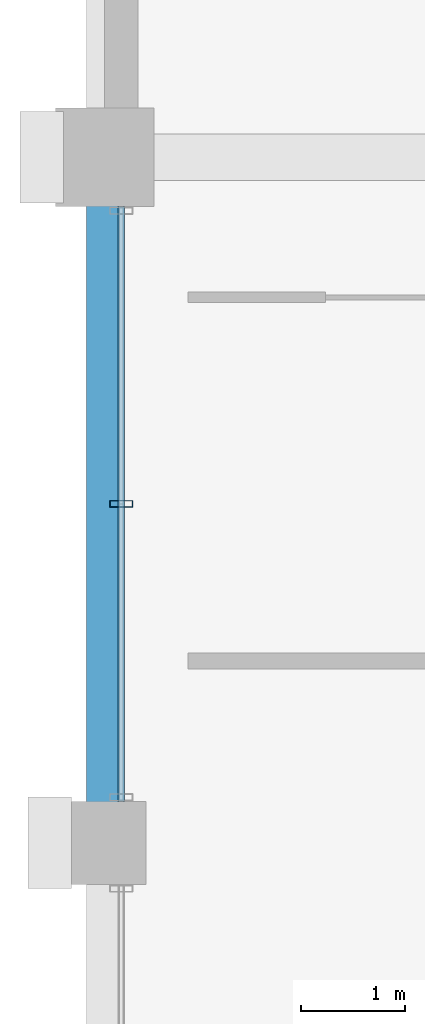
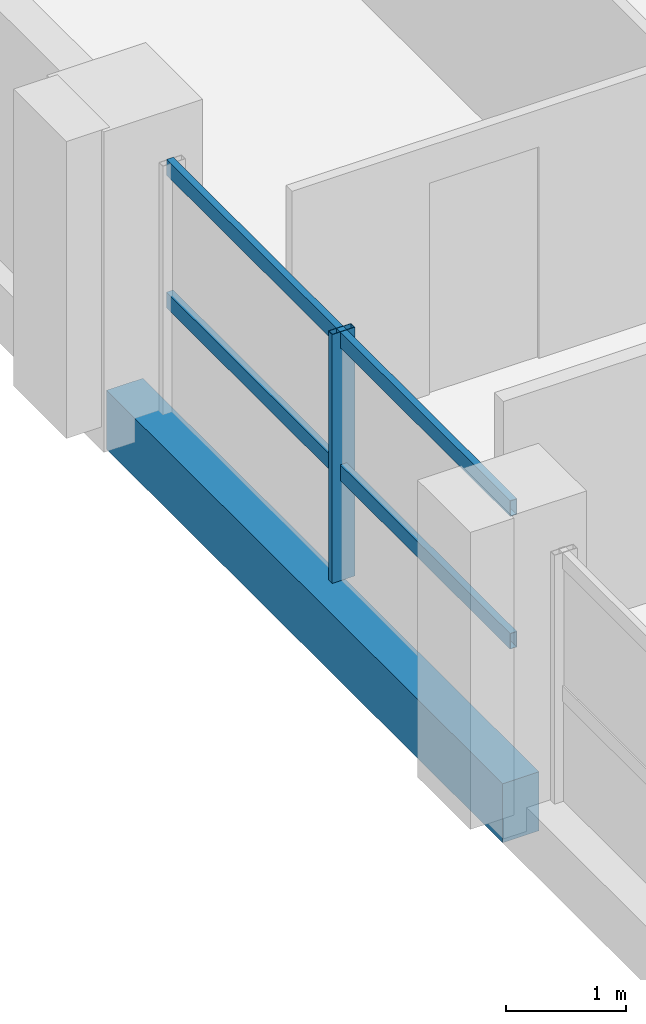
# One storey, part 6 of 23: 3 members, 1 beam, 1 element without a shape of its own.
"""IFC4 building model written with IfcOpenShell, lengths in metres."""

import ifcopenshell
import ifcopenshell.guid

model = None  # the IFC model being written
_history = None  # IfcOwnerHistory: only IFC2X3 demands one
_inside = {}  # id of a spatial element -> (the spatial element, [elements in it])
_under = {}  # id of a project, library or spatial element -> (it, [spatial elements below it])
_declared = {}  # id of a project -> (the project, [libraries it declares])
_typed = {}  # id of a type object -> (the type object, [elements of that type])
_made_of = {}  # id of a material, layer set ... -> (it, [elements and type objects made of it])


def new_model(schema):
    """Start an empty IFC model of exactly this schema.

    Asked for "IFC4X3", IfcOpenShell would pick the latest addendum, in which some entities
    have other attributes; the version numbers below select the first issue.
    IFC2X3 requires an IfcOwnerHistory on every rooted entity: one is made here for all.
    """
    global model, _history
    if schema == "IFC4X3":
        model = ifcopenshell.file(schema_version=(4, 3, 0, 0))
    else:
        model = ifcopenshell.file(schema=schema)
    _inside.clear()
    _under.clear()
    _declared.clear()
    _typed.clear()
    _made_of.clear()
    _history = None
    if model.schema == "IFC2X3":
        org = make("IfcOrganization", Name="unknown")
        user = make(
            "IfcPersonAndOrganization",
            ThePerson=make("IfcPerson", FamilyName="unknown"),
            TheOrganization=org,
        )
        app = make(
            "IfcApplication",
            ApplicationDeveloper=org,
            Version="unknown",
            ApplicationFullName="unknown",
            ApplicationIdentifier="unknown",
        )
        _history = make(
            "IfcOwnerHistory",
            OwningUser=user,
            OwningApplication=app,
            ChangeAction="ADDED",
            CreationDate=0,
        )
    return model


def make(cls, **values):
    """One entity of the class cls with the attributes given. An attribute that is None is left unset."""
    return model.create_entity(
        cls, **{name: value for name, value in values.items() if value is not None}
    )


def rooted(cls, **values):
    """An entity with a GlobalId (a new one), such as an element, a storey or a relation."""
    return make(cls, GlobalId=ifcopenshell.guid.new(), OwnerHistory=_history, **values)


def si_unit(unit_type, name, prefix=None):
    """IfcSIUnit, for example si_unit("LENGTHUNIT", "METRE", prefix="MILLI")."""
    return make("IfcSIUnit", UnitType=unit_type, Prefix=prefix, Name=name)


def assignment(units):
    """IfcUnitAssignment: the units of a project."""
    return None if units is None else make("IfcUnitAssignment", Units=units)


def point(xyz):
    """IfcCartesianPoint."""
    return None if xyz is None else make("IfcCartesianPoint", Coordinates=xyz)


def direction(xyz):
    """IfcDirection."""
    return None if xyz is None else make("IfcDirection", DirectionRatios=xyz)


def frame(location, z_axis=None, x_axis=None):
    """IfcAxis2Placement3D, a coordinate frame: its origin and axes. An axis left out is left unset."""
    return make(
        "IfcAxis2Placement3D",
        Location=point(location),
        Axis=direction(z_axis),
        RefDirection=direction(x_axis),
    )


def frame_2d(location, x_axis=None):
    """IfcAxis2Placement2D, a coordinate frame in the plane: its origin and x axis."""
    return make(
        "IfcAxis2Placement2D", Location=point(location), RefDirection=direction(x_axis)
    )


def origin():
    """The frame at (0, 0, 0) with its axes left unset."""
    return frame((0.0, 0.0, 0.0))


def origin_2d():
    """The frame at (0, 0) in the plane with its x axis left unset."""
    return frame_2d((0.0, 0.0))


def place(relative_to, where):
    """IfcLocalPlacement: puts the frame where relative to a parent placement (None: the world)."""
    return make(
        "IfcLocalPlacement", PlacementRelTo=relative_to, RelativePlacement=where
    )


def context(
    kind, dimensions, precision=None, world=None, true_north=None, identifier=None
):
    """IfcGeometricRepresentationContext, for example the 3D "Model" context."""
    return make(
        "IfcGeometricRepresentationContext",
        ContextIdentifier=identifier,
        ContextType=kind,
        CoordinateSpaceDimension=dimensions,
        Precision=precision,
        WorldCoordinateSystem=world,
        TrueNorth=true_north,
    )


def subcontext(parent, identifier, kind, view, scale=None):
    """IfcGeometricRepresentationSubContext, for example "Body" below "Model"."""
    return make(
        "IfcGeometricRepresentationSubContext",
        ContextIdentifier=identifier,
        ContextType=kind,
        ParentContext=parent,
        TargetScale=scale,
        TargetView=view,
    )


def project(units=None, contexts=None):
    """IfcProject with its units and contexts."""
    return rooted(
        "IfcProject",
        Name="project",
        RepresentationContexts=contexts,
        UnitsInContext=assignment(units),
    )


def spatial(cls, under=None, at=None, **own):
    """A site, building, storey or space (cls), placed at a placement, below another one or the project."""
    s = rooted(cls, ObjectPlacement=at, **own)
    if under is not None:
        _under.setdefault(under.id(), (under, []))[1].append(s)
    return s


def profile(cls, at=None, kind="AREA", **sizes):
    """A parametric profile (cls). Its sizes go by their IFC names, for example OverallWidth=200.0."""
    return make(cls, ProfileType=kind, Position=at, **sizes)


def rectangle(**sizes):
    """IfcRectangleProfileDef."""
    return profile("IfcRectangleProfileDef", **sizes)


def hollow_rectangle(**sizes):
    """IfcRectangleHollowProfileDef."""
    return profile("IfcRectangleHollowProfileDef", **sizes)


def extrude(swept, where, along, depth):
    """IfcExtrudedAreaSolid: the profile swept, set in the frame where, extruded along a direction by depth."""
    return make(
        "IfcExtrudedAreaSolid",
        SweptArea=swept,
        Position=where,
        ExtrudedDirection=direction(along),
        Depth=depth,
    )


def shape(context_of_items, identifier, shape_type, items):
    """IfcShapeRepresentation: the items that make up one representation, for example the "Body"."""
    return make(
        "IfcShapeRepresentation",
        ContextOfItems=context_of_items,
        RepresentationIdentifier=identifier,
        RepresentationType=shape_type,
        Items=items,
    )


def material(Name=None, Category=None):
    """IfcMaterial."""
    return make("IfcMaterial", Name=Name, Category=Category)


def material_profile(
    of_material, cross_section, Name=None, Category=None, Priority=None
):
    """IfcMaterialProfile: a cross section and its material."""
    return make(
        "IfcMaterialProfile",
        Name=Name,
        Material=of_material,
        Profile=cross_section,
        Priority=Priority,
        Category=Category,
    )


def profile_set(profiles, Name=None, composite=None):
    """IfcMaterialProfileSet."""
    return make(
        "IfcMaterialProfileSet",
        Name=Name,
        MaterialProfiles=profiles,
        CompositeProfile=composite,
    )


def made_of(thing, what):
    """Note that an element or type object is made of a material, layer set ...; save() writes the relation."""
    if what is not None:
        _made_of.setdefault(what.id(), (what, []))[1].append(thing)
    return thing


def type_object(cls, material=None, **own):
    """A type object (cls), such as IfcWallType, which elements share."""
    return made_of(rooted(cls, **own), material)


def element(
    cls,
    number,
    at=None,
    inside=None,
    cuts=None,
    type_object=None,
    material=None,
    context=None,
    identifier="Body",
    shape_type=None,
    held_by="IfcProductDefinitionShape",
    body=None,
    shapes=None,
    **own,
):
    """One element of the class cls, such as IfcWall. Its Tag is "e" and its number.

    at: its placement. inside: the storey or other place that contains it. cuts: it is an
    opening in that element (IfcRelVoidsElement). A single representation is given by context,
    identifier, shape_type and body (its items); several are given by shapes. held_by: the class
    of the entity that holds the representations. save() writes the other relations.
    """
    e = rooted(cls, Tag="e%d" % number, ObjectPlacement=at, **own)
    if body is not None:
        shapes = [shape(context, identifier, shape_type, body)]
    if shapes is not None:
        e.Representation = make(held_by, Representations=shapes)
    if inside is not None:
        _inside.setdefault(inside.id(), (inside, []))[1].append(e)
    if cuts is not None:
        rooted(
            "IfcRelVoidsElement", RelatingBuildingElement=cuts, RelatedOpeningElement=e
        )
    if type_object is not None:
        _typed.setdefault(type_object.id(), (type_object, []))[1].append(e)
    return made_of(e, material)


def aggregate(whole, parts):
    """IfcRelAggregates: a whole, such as a stair, and the parts it consists of."""
    return rooted("IfcRelAggregates", RelatingObject=whole, RelatedObjects=parts)


def save(model, path):
    """Write the relations noted so far, then the file.

    IfcRelAggregates (storeys below a building ...), IfcRelContainedInSpatialStructure (elements
    in a storey), IfcRelDefinesByType, IfcRelAssociatesMaterial and IfcRelDeclares: one each for
    every whole, place, type object, material and project.
    """
    for whole, parts in _under.values():
        aggregate(whole, parts)
    for where, things in _inside.values():
        rooted(
            "IfcRelContainedInSpatialStructure",
            RelatedElements=things,
            RelatingStructure=where,
        )
    for kind, things in _typed.values():
        rooted("IfcRelDefinesByType", RelatedObjects=things, RelatingType=kind)
    for what, things in _made_of.values():
        rooted("IfcRelAssociatesMaterial", RelatedObjects=things, RelatingMaterial=what)
    for by, libraries in _declared.values():
        rooted("IfcRelDeclares", RelatingContext=by, RelatedDefinitions=libraries)
    model.write(path)


model = new_model("IFC4")

# Units and contexts
model_context = context("Model", 3, precision=1e-05, world=origin(), true_north=direction((0.0, 1.0)))
body_context = subcontext(model_context, "Body", "Model", "MODEL_VIEW")
ifc_project = project(units=[si_unit("LENGTHUNIT", "METRE"), si_unit("AREAUNIT", "SQUARE_METRE"), si_unit("VOLUMEUNIT", "CUBIC_METRE"), si_unit("PLANEANGLEUNIT", "RADIAN"), si_unit("MASSUNIT", "GRAM", prefix="KILO")], contexts=[model_context])

# Site, building, storey
site_placement = place(None, origin())
site = spatial("IfcSite", under=ifc_project, at=site_placement, CompositionType="ELEMENT")
building_placement = place(site_placement, origin())
building = spatial("IfcBuilding", under=site, at=building_placement, Name="Akrevak Sports Hall", CompositionType="ELEMENT")
storey_placement = place(building_placement, frame((0.0, 0.0, 43.800048828125)))
storey = spatial("IfcBuildingStorey", under=building, at=storey_placement, Name="L10", CompositionType="ELEMENT", Elevation=43.800048828125)

# Curtain wall, members
ifc_material_1 = material(Name="Anodized Bronze Aluminium & Low-E Glass", Category="aluminium")
curtain_wall_type = type_object("IfcCurtainWallType", Name="ARC-CW-TWR-64x30", PredefinedType="NOTDEFINED", material=ifc_material_1)
curtain_wall_placement = place(storey_placement, origin())
curtain_wall = element("IfcCurtainWall", 1, at=curtain_wall_placement, inside=storey, type_object=curtain_wall_type, Name="Curtain Wall CW-L10-W30", PredefinedType="NOTDEFINED")
ifc_material_2 = material(Name="Anodized Bronze Aluminium", Category="aluminium")
ifc_material_profile_1 = material_profile(ifc_material_2, hollow_rectangle(XDim=0.06494140625, YDim=0.219970703125, WallThickness=0.00439453125, at=origin_2d()), Name="CWM 65x220", Category="aluminium")
ifc_profile_set_1 = profile_set([ifc_material_profile_1], Name="Anodized Bronze Aluminium")
member_type_1 = type_object("IfcMemberType", Name="ARC-CWM-70x160", PredefinedType="MULLION", material=ifc_profile_set_1)
member_1_placement = place(storey_placement, frame((52.659912109375, 51.862548828125, 0.0), z_axis=(0.0, 0.0, 1.0), x_axis=(0.0, -1.0, 0.0)))
member_1 = element("IfcMember", 2, at=member_1_placement, type_object=member_type_1, Name="Curtain Wall Mullion CW-L10-W30-M2", PredefinedType="MULLION", context=body_context, shape_type="SweptSolid", body=[
    extrude(hollow_rectangle(XDim=0.06494140625, YDim=0.219970703125, WallThickness=0.00439453125, at=origin_2d()), origin(), (0.0, 0.0, 1.0), 2.530029296875),
])
ifc_material_profile_2 = material_profile(ifc_material_2, hollow_rectangle(XDim=0.06494140625, YDim=0.159912109375, WallThickness=0.00390625, at=origin_2d()), Name="CWT 65x160", Category="aluminium")
ifc_profile_set_2 = profile_set([ifc_material_profile_2], Name="Anodized Bronze Aluminium")
member_type_2 = type_object("IfcMemberType", Name="ARC-CWT-70x130", PredefinedType="USERDEFINED", material=ifc_profile_set_2)
member_2_placement = place(storey_placement, frame((52.659912109375, 54.72509765625, 1.099853515625), z_axis=(0.0, -1.0, 0.0), x_axis=(1.0, 0.0, 0.0)))
member_2 = element("IfcMember", 3, at=member_2_placement, type_object=member_type_2, Name="Curtain Wall Transom CW-L10-W30-T1", ObjectType="TRANSOM", PredefinedType="USERDEFINED", context=body_context, shape_type="SweptSolid", body=[
    extrude(hollow_rectangle(XDim=0.06494140625, YDim=0.159912109375, WallThickness=0.00390625, at=origin_2d()), origin(), (0.0, 0.0, 1.0), 5.72509765625),
])
member_3_placement = place(storey_placement, frame((52.659912109375, 54.72509765625, 2.449951171875), z_axis=(0.0, -1.0, 0.0), x_axis=(1.0, 0.0, 0.0)))
member_3 = element("IfcMember", 4, at=member_3_placement, type_object=member_type_2, Name="Curtain Wall Transom CW-L10-W30-T2", ObjectType="TRANSOM", PredefinedType="USERDEFINED", context=body_context, shape_type="SweptSolid", body=[
    extrude(hollow_rectangle(XDim=0.06494140625, YDim=0.159912109375, WallThickness=0.00390625, at=origin_2d()), origin(), (0.0, 0.0, 1.0), 5.72509765625),
])
aggregate(curtain_wall, [member_1, member_2, member_3])

# Beam
ifc_material_3 = material(Name="Concrete C40/50", Category="concrete")
ifc_material_profile_3 = material_profile(ifc_material_3, rectangle(XDim=0.35009765625, YDim=0.60009765625, at=origin_2d()), Name="BM 350x600", Category="concrete")
ifc_profile_set_3 = profile_set([ifc_material_profile_3], Name="Concrete C40/50")
beam_type = type_object("IfcBeamType", Name="STR-BM-RC350x600", PredefinedType="BEAM", material=ifc_profile_set_3)
beam_placement = place(storey_placement, frame((52.5, 48.60009765625, -0.300048828125), z_axis=(0.0, 1.0, 0.0), x_axis=(-1.0, 0.0, 0.0)))
element("IfcBeam", 5, at=beam_placement, inside=storey, type_object=beam_type, Name="Girder 8/H-I (L10)", PredefinedType="BEAM", context=body_context, shape_type="SweptSolid", body=[
    extrude(rectangle(XDim=0.35009765625, YDim=0.60009765625, at=origin_2d()), origin(), (0.0, 0.0, 1.0), 6.599853515625),
])

save(model, "model.ifc")
